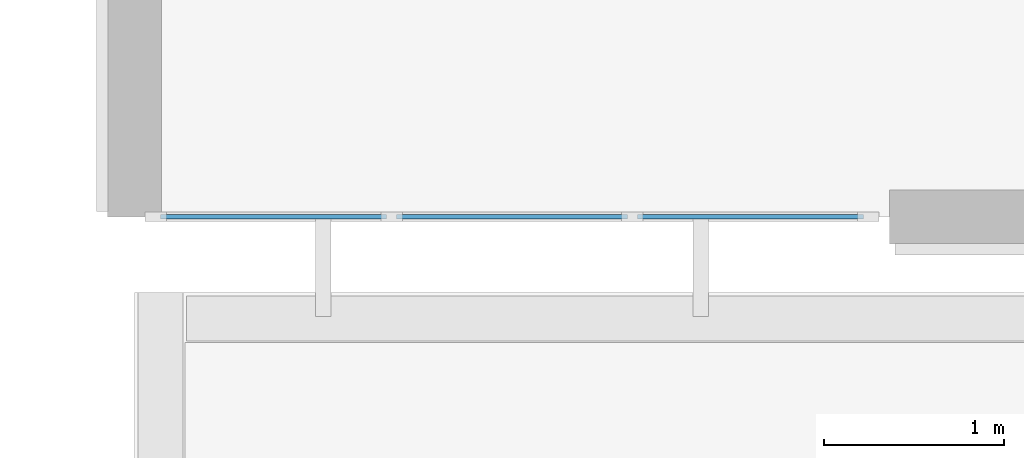
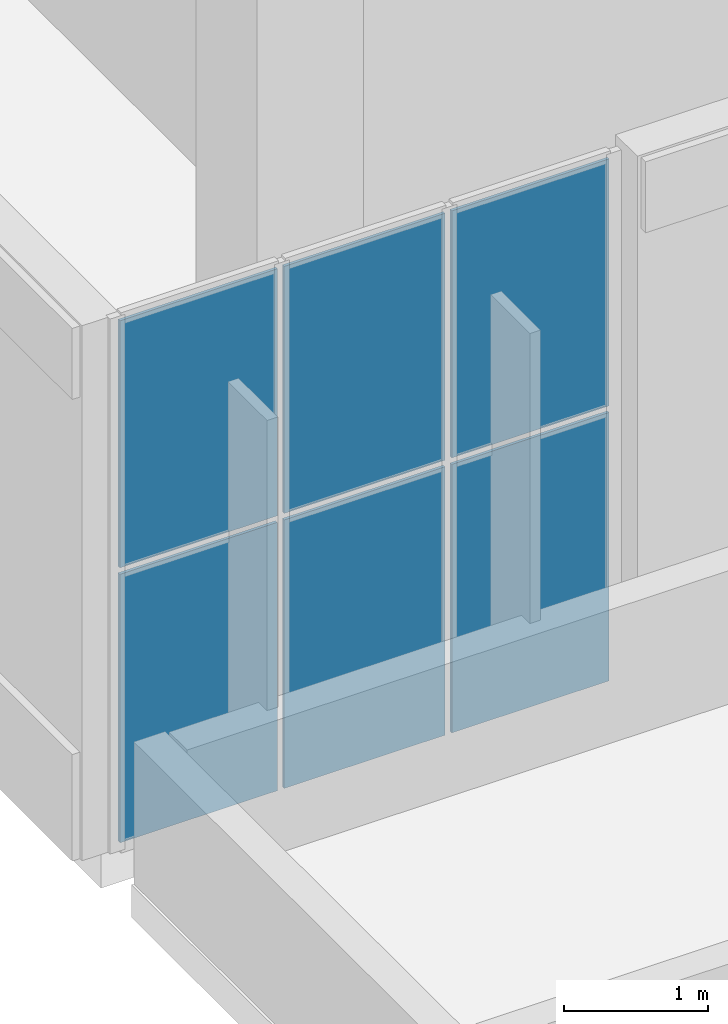
# One storey, part 31 of 67: 6 plates, 1 element without a shape of its own.
"""IFC4 building model written with IfcOpenShell, lengths in metres."""

from ifc_helpers import new_model, si_unit, direction, frame, origin, origin_2d, place, context, subcontext, project, spatial, rectangle, extrude, material, layer, layer_set, type_object, element, aggregate, save


model = new_model("IFC4")

# Units and contexts
model_context = context("Model", 3, precision=1e-05, world=origin(), true_north=direction((0.0, 1.0)))
body_context = subcontext(model_context, "Body", "Model", "MODEL_VIEW")
ifc_project = project(units=[si_unit("LENGTHUNIT", "METRE"), si_unit("AREAUNIT", "SQUARE_METRE"), si_unit("VOLUMEUNIT", "CUBIC_METRE"), si_unit("PLANEANGLEUNIT", "RADIAN"), si_unit("MASSUNIT", "GRAM", prefix="KILO")], contexts=[model_context])

# Site, building, storey
site_placement = place(None, origin())
site = spatial("IfcSite", under=ifc_project, at=site_placement, CompositionType="ELEMENT")
building_placement = place(site_placement, origin())
building = spatial("IfcBuilding", under=site, at=building_placement, Name="Cendralis Terraced Arcade", CompositionType="ELEMENT")
storey_placement = place(building_placement, frame((0.0, 0.0, 15.0)))
storey = spatial("IfcBuildingStorey", under=building, at=storey_placement, Name="L03", CompositionType="ELEMENT", Elevation=15.0)

# Curtain wall, plates
ifc_material_1 = material(Name="Anodised aluminium EN AW-6063 T6", Category="aluminium")
ifc_layer_1 = layer(ifc_material_1, 0.1201171875, Name="CW-STORE-B")
ifc_layer_set_1 = layer_set([ifc_layer_1], Name="Anodised aluminium EN AW-6063 T6")
curtain_wall_type = type_object("IfcCurtainWallType", Name="CW-STORE-B", PredefinedType="USERDEFINED", material=ifc_layer_set_1)
curtain_wall_placement = place(storey_placement, origin())
curtain_wall = element("IfcCurtainWall", 1, at=curtain_wall_placement, inside=storey, type_object=curtain_wall_type, Name="Exterior Storefront Glazing CW-L03-0252", ObjectType="STOREFRONT GLAZING", PredefinedType="USERDEFINED")
ifc_material_2 = material(Name="Tempered solar control laminated glass", Category="glass")
ifc_layer_2 = layer(ifc_material_2, 0.02392578125, Name="CW-STORE-B-PNL")
ifc_layer_set_2 = layer_set([ifc_layer_2], Name="Tempered solar control laminated glass")
plate_type = type_object("IfcPlateType", Name="CW-STORE-B-PNL", PredefinedType="CURTAIN_PANEL", material=ifc_layer_set_2)
plate_1_placement = place(storey_placement, frame((129.42626953125, 64.800048828125, 0.05517578125), z_axis=(0.0, 0.0, 1.0), x_axis=(-1.0, 0.0, 0.0)))
plate_1 = element("IfcPlate", 2, at=plate_1_placement, type_object=plate_type, Name="CW-S2 panel 1.1", PredefinedType="CURTAIN_PANEL", context=body_context, shape_type="SweptSolid", body=[
    extrude(rectangle(XDim=1.257568359375, YDim=0.02392578125, at=origin_2d()), origin(), (0.0, 0.0, 1.0), 2.267822265625),
])
plate_2_placement = place(storey_placement, frame((129.42626953125, 64.800048828125, 2.3779296875), z_axis=(0.0, 0.0, 1.0), x_axis=(-1.0, 0.0, 0.0)))
plate_2 = element("IfcPlate", 3, at=plate_2_placement, type_object=plate_type, Name="CW-S2 panel 1.2", PredefinedType="CURTAIN_PANEL", context=body_context, shape_type="SweptSolid", body=[
    extrude(rectangle(XDim=1.257568359375, YDim=0.02392578125, at=origin_2d()), origin(), (0.0, 0.0, 1.0), 2.087158203125),
])
plate_3_placement = place(storey_placement, frame((128.10009765625, 64.800048828125, 0.05517578125), z_axis=(0.0, 0.0, 1.0), x_axis=(-1.0, 0.0, 0.0)))
plate_3 = element("IfcPlate", 4, at=plate_3_placement, type_object=plate_type, Name="CW-S2 panel 2.1", PredefinedType="CURTAIN_PANEL", context=body_context, shape_type="SweptSolid", body=[
    extrude(rectangle(XDim=1.284912109375, YDim=0.02392578125, at=origin_2d()), origin(), (0.0, 0.0, 1.0), 2.267822265625),
])
plate_4_placement = place(storey_placement, frame((128.10009765625, 64.800048828125, 2.3779296875), z_axis=(0.0, 0.0, 1.0), x_axis=(-1.0, 0.0, 0.0)))
plate_4 = element("IfcPlate", 5, at=plate_4_placement, type_object=plate_type, Name="CW-S2 panel 2.2", PredefinedType="CURTAIN_PANEL", context=body_context, shape_type="SweptSolid", body=[
    extrude(rectangle(XDim=1.284912109375, YDim=0.02392578125, at=origin_2d()), origin(), (0.0, 0.0, 1.0), 2.087158203125),
])
plate_5_placement = place(storey_placement, frame((126.773681640625, 64.800048828125, 0.05517578125), z_axis=(0.0, 0.0, 1.0), x_axis=(-1.0, 0.0, 0.0)))
plate_5 = element("IfcPlate", 6, at=plate_5_placement, type_object=plate_type, Name="CW-S2 panel 3.1", PredefinedType="CURTAIN_PANEL", context=body_context, shape_type="SweptSolid", body=[
    extrude(rectangle(XDim=1.257568359375, YDim=0.02392578125, at=origin_2d()), origin(), (0.0, 0.0, 1.0), 2.267822265625),
])
plate_6_placement = place(storey_placement, frame((126.773681640625, 64.800048828125, 2.3779296875), z_axis=(0.0, 0.0, 1.0), x_axis=(-1.0, 0.0, 0.0)))
plate_6 = element("IfcPlate", 7, at=plate_6_placement, type_object=plate_type, Name="CW-S2 panel 3.2", PredefinedType="CURTAIN_PANEL", context=body_context, shape_type="SweptSolid", body=[
    extrude(rectangle(XDim=1.257568359375, YDim=0.02392578125, at=origin_2d()), origin(), (0.0, 0.0, 1.0), 2.087158203125),
])
aggregate(curtain_wall, [plate_1, plate_2, plate_3, plate_4, plate_5, plate_6])

save(model, "model.ifc")
